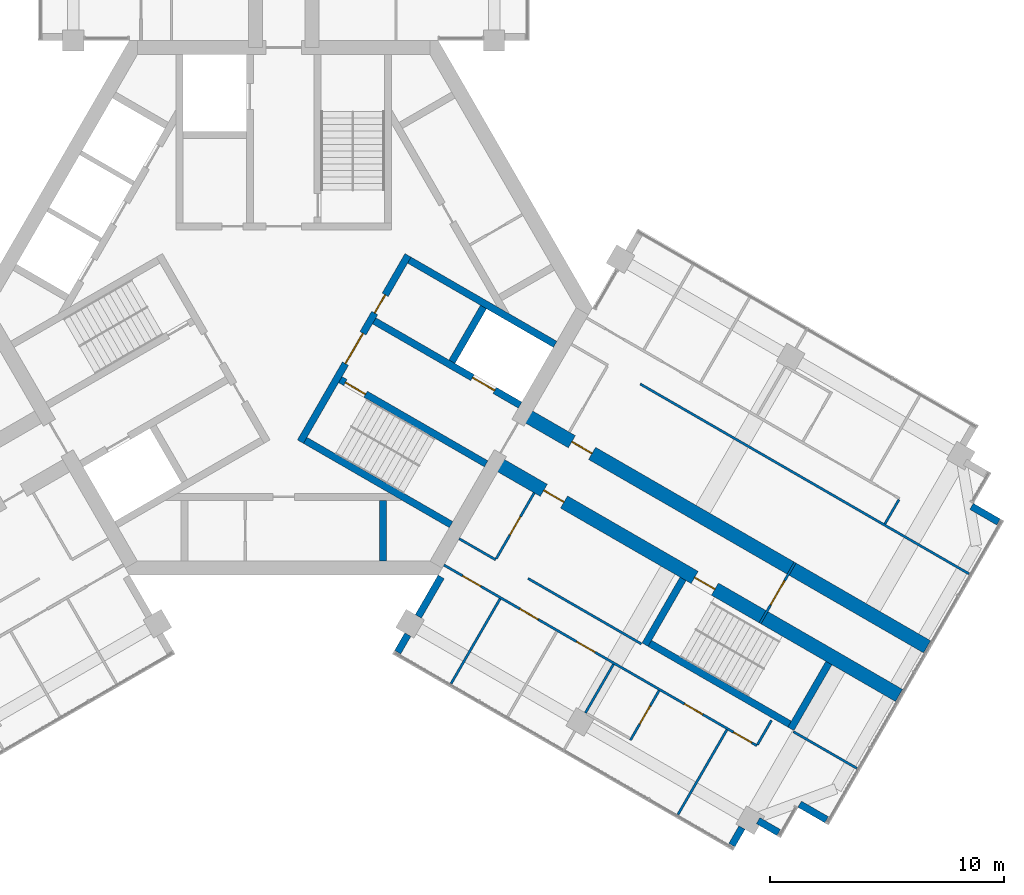
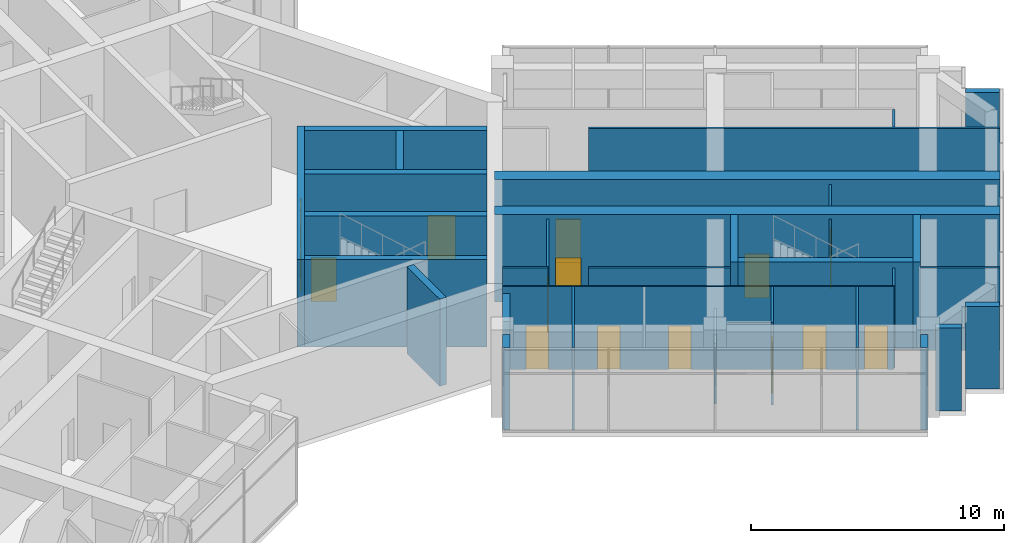
# One storey, part 12 of 15: 31 walls, 15 doors, 15 openings.
"""IFC4 building model written with IfcOpenShell, lengths in metres."""

from ifc_helpers import new_model, si_unit, direction, frame, frame_2d, origin, place, context, subcontext, project, spatial, rectangle, extrude, material, layer, layer_set, type_object, element, fill, save


model = new_model("IFC4")

# Units and contexts
model_context = context("Model", 3, precision=1e-05, world=origin(), true_north=direction((0.0, 1.0)))
body_context = subcontext(model_context, "Body", "Model", "MODEL_VIEW")
ifc_project = project(units=[si_unit("LENGTHUNIT", "METRE"), si_unit("AREAUNIT", "SQUARE_METRE"), si_unit("VOLUMEUNIT", "CUBIC_METRE"), si_unit("PLANEANGLEUNIT", "RADIAN"), si_unit("MASSUNIT", "GRAM", prefix="KILO")], contexts=[model_context])

# Site, building, storey
site_placement = place(None, origin())
site = spatial("IfcSite", under=ifc_project, at=site_placement, CompositionType="ELEMENT")
building_placement = place(site_placement, origin())
building = spatial("IfcBuilding", under=site, at=building_placement, Name="Impinga Residences", CompositionType="ELEMENT")
storey_placement = place(building_placement, frame((0.0, 0.0, 274.75)))
storey = spatial("IfcBuildingStorey", under=building, at=storey_placement, Name="L69", CompositionType="ELEMENT", Elevation=274.75)

# Wall, opening, door
ifc_material_1 = material(Name="Concrete C60/75", Category="concrete")
ifc_layer_1 = layer(ifc_material_1, 0.60009765625)
ifc_layer_set_1 = layer_set([ifc_layer_1], Name="Concrete C60/75")
wall_type_1 = type_object("IfcWallType", Name="BW3 corridor buttress wall, L46 to L73 600", PredefinedType="SHEAR", material=ifc_layer_set_1)
wall_1_placement = place(storey_placement, frame((10.240234375, -4.526611328125, 0.0), z_axis=(0.0, 0.0, 1.0), x_axis=(0.866025922281, -0.499999101937, 0.0)))
wall_1 = element("IfcWall", 1, at=wall_1_placement, inside=storey, type_object=wall_type_1, Name="Corridor wall BW3 EC L69", PredefinedType="SHEAR", context=body_context, shape_type="SweptSolid", body=[
    extrude(rectangle(XDim=19.93798828125, YDim=0.60009765625, at=frame_2d((9.968994140625, 0.0))), origin(), (0.0, 0.0, 1.0), 4.199951171875),
])
opening_1_placement = place(wall_1_placement, frame((2.39990234375, 0.0, 0.0)))
opening_1 = element("IfcOpeningElement", 2, at=opening_1_placement, cuts=wall_1, Name="Opening D1", PredefinedType="OPENING", context=body_context, shape_type="SweptSolid", body=[
    extrude(rectangle(XDim=1.0, YDim=2.10009765625, at=frame_2d((0.5, 1.050048828125))), frame((0.0, 0.31005859375, 0.0), z_axis=(0.0, -1.0, 0.0), x_axis=(1.0, 0.0, 0.0)), (0.0, 0.0, 1.0), 0.6201171875),
])
ifc_material_2 = material(Name="Timber door set", Category="wood")
door_type_1 = type_object("IfcDoorType", Name="D1 apartment entrance door 1000x2100", OperationType="SINGLE_SWING_LEFT", PredefinedType="DOOR", material=ifc_material_2)
door_1_placement = place(opening_1_placement, origin())
door_1 = element("IfcDoor", 3, at=door_1_placement, inside=storey, type_object=door_type_1, Name="Apartment L69-EA1 entrance", OperationType="SINGLE_SWING_LEFT", OverallHeight=2.10009765625, OverallWidth=1.0, PredefinedType="DOOR", context=body_context, shape_type="SweptSolid", body=[
    extrude(rectangle(XDim=1.0, YDim=2.10009765625, at=frame_2d((0.5, 1.050048828125))), frame((0.0, 0.02490234375, 0.0), z_axis=(0.0, -1.0, 0.0), x_axis=(1.0, 0.0, 0.0)), (0.0, 0.0, 1.0), 0.050048828125),
])
fill(opening_1, door_1)

# Wall, openings, doors
wall_2_placement = place(storey_placement, frame((9.040283203125, -6.60498046875, 0.0), z_axis=(0.0, 0.0, 1.0), x_axis=(0.866025922281, -0.499999101937, 0.0)))
wall_2 = element("IfcWall", 4, at=wall_2_placement, inside=storey, type_object=wall_type_1, Name="Corridor wall BW3 ED L69", PredefinedType="SHEAR", context=body_context, shape_type="SweptSolid", body=[
    extrude(rectangle(XDim=19.93798828125, YDim=0.60009765625, at=frame_2d((9.968994140625, 0.0))), origin(), (0.0, 0.0, 1.0), 4.199951171875),
])
opening_2_placement = place(wall_2_placement, frame((9.85009765625, 0.0, 0.0)))
opening_2 = element("IfcOpeningElement", 5, at=opening_2_placement, cuts=wall_2, Name="Opening D5", PredefinedType="OPENING", context=body_context, shape_type="SweptSolid", body=[
    extrude(rectangle(XDim=1.0, YDim=2.10009765625, at=frame_2d((0.5, 1.050048828125))), frame((0.0, 0.31005859375, 0.0), z_axis=(0.0, -1.0, 0.0), x_axis=(1.0, 0.0, 0.0)), (0.0, 0.0, 1.0), 0.6201171875),
])
opening_3_placement = place(wall_2_placement, frame((2.39990234375, 0.0, 0.0)))
opening_3 = element("IfcOpeningElement", 6, at=opening_3_placement, cuts=wall_2, Name="Opening D1", PredefinedType="OPENING", context=body_context, shape_type="SweptSolid", body=[
    extrude(rectangle(XDim=1.0, YDim=2.10009765625, at=frame_2d((0.5, 1.050048828125))), frame((0.0, 0.31005859375, 0.0), z_axis=(0.0, -1.0, 0.0), x_axis=(1.0, 0.0, 0.0)), (0.0, 0.0, 1.0), 0.6201171875),
])
door_2_placement = place(opening_3_placement, origin())
door_2 = element("IfcDoor", 7, at=door_2_placement, inside=storey, type_object=door_type_1, Name="Apartment L69-EF1 entrance", OperationType="SINGLE_SWING_LEFT", OverallHeight=2.10009765625, OverallWidth=1.0, PredefinedType="DOOR", context=body_context, shape_type="SweptSolid", body=[
    extrude(rectangle(XDim=1.0, YDim=2.10009765625, at=frame_2d((0.5, 1.050048828125))), frame((0.0, 0.02490234375, 0.0), z_axis=(0.0, -1.0, 0.0), x_axis=(1.0, 0.0, 0.0)), (0.0, 0.0, 1.0), 0.050048828125),
])
fill(opening_3, door_2)
door_type_2 = type_object("IfcDoorType", Name="D5 stair door 1000x2100", OperationType="SINGLE_SWING_LEFT", PredefinedType="DOOR", material=ifc_material_2)
door_3_placement = place(opening_2_placement, origin())
door_3 = element("IfcDoor", 8, at=door_3_placement, inside=storey, type_object=door_type_2, Name="Wing stair door E", OperationType="SINGLE_SWING_RIGHT", OverallHeight=2.10009765625, OverallWidth=1.0, PredefinedType="DOOR", context=body_context, shape_type="SweptSolid", body=[
    extrude(rectangle(XDim=1.0, YDim=2.10009765625, at=frame_2d((0.5, 1.050048828125))), frame((0.0, 0.02490234375, 0.0), z_axis=(0.0, -1.0, 0.0), x_axis=(1.0, 0.0, 0.0)), (0.0, 0.0, 1.0), 0.050048828125),
])
fill(opening_2, door_3)

# Wall, opening, door
ifc_material_3 = material(Name="Concrete blockwork", Category="masonry")
ifc_layer_2 = layer(ifc_material_3, 0.10009765625)
ifc_layer_set_2 = layer_set([ifc_layer_2], Name="CP1 core room partition, blockwork 100")
wall_type_2 = type_object("IfcWallType", Name="CP1 core room partition, blockwork 100", PredefinedType="PARTITIONING", material=ifc_layer_set_2)
wall_3_placement = place(storey_placement, frame((21.864990234375, -10.891845703125, 0.0), z_axis=(0.0, 0.0, 1.0), x_axis=(-0.50002537861, -0.866010750942, 0.0)))
wall_3 = element("IfcWall", 9, at=wall_3_placement, inside=storey, type_object=wall_type_2, Name="Core room partition, blockwork L69:E:LNG", PredefinedType="PARTITIONING", context=body_context, shape_type="SweptSolid", body=[
    extrude(rectangle(XDim=2.999755859375, YDim=0.10009765625, at=frame_2d((1.5, 0.0))), origin(), (0.0, 0.0, 1.0), 3.97998046875),
])
opening_4_placement = place(wall_3_placement, frame((0.89990234375, 0.0, 0.0)))
opening_4 = element("IfcOpeningElement", 10, at=opening_4_placement, cuts=wall_3, Name="Opening D3", PredefinedType="OPENING", context=body_context, shape_type="SweptSolid", body=[
    extrude(rectangle(XDim=1.199951171875, YDim=2.10009765625, at=frame_2d((0.60009765625, 1.050048828125))), frame((0.0, 0.06005859375, 0.0), z_axis=(0.0, -1.0, 0.0), x_axis=(1.0, 0.0, 0.0)), (0.0, 0.0, 1.0), 0.1201171875),
])
door_type_3 = type_object("IfcDoorType", Name="D3 room door, leaf and a half 1200x2100", OperationType="DOUBLE_SWING_LEFT", PredefinedType="DOOR", material=ifc_material_2)
door_4_placement = place(opening_4_placement, origin())
door_4 = element("IfcDoor", 11, at=door_4_placement, inside=storey, type_object=door_type_3, Name="Residents' lounge door E", OperationType="DOUBLE_SWING_LEFT", OverallHeight=2.10009765625, OverallWidth=1.199951171875, PredefinedType="DOOR", context=body_context, shape_type="SweptSolid", body=[
    extrude(rectangle(XDim=1.199951171875, YDim=2.10009765625, at=frame_2d((0.60009765625, 1.050048828125))), frame((0.0, 0.02490234375, 0.0), z_axis=(0.0, -1.0, 0.0), x_axis=(1.0, 0.0, 0.0)), (0.0, 0.0, 1.0), 0.050048828125),
])
fill(opening_4, door_4)

# Walls
ifc_material_4 = material(Name="Stone facing on blockwork", Category="masonry")
ifc_layer_3 = layer(ifc_material_4, 0.300048828125)
ifc_layer_set_3 = layer_set([ifc_layer_3], Name="EW2 external wall, stone facing on blockwork 300")
wall_type_3 = type_object("IfcWallType", Name="EW2 external wall, stone facing on blockwork 300", PredefinedType="SOLIDWALL", material=ifc_layer_set_3)
for number, where, z_axis, x_axis, name in (
    (12, (29.41015625, -8.492919921875, 0.0), (0.0, 0.0, 1.0), (0.866020521143, -0.500008456887, 0.0), "External wall EW2 L69"),
    (13, (23.212158203125, -21.888671875, 0.0), (0.0, 0.0, 1.0), (-0.866020521143, 0.500008456887, 0.0), "External wall EW2 L69"),
):
    element("IfcWall", number, at=place(storey_placement, frame(where, z_axis=z_axis, x_axis=x_axis)), inside=storey, type_object=wall_type_3, Name=name, PredefinedType="SOLIDWALL", context=body_context, shape_type="SweptSolid", body=[
        extrude(rectangle(XDim=1.330078125, YDim=0.300048828125, at=frame_2d((0.6650390625, 0.0))), origin(), (0.0, 0.0, 1.0), 3.97998046875),
    ])
wall_4_placement = place(storey_placement, frame((21.1630859375, -22.4375, 0.0), z_axis=(0.0, 0.0, 1.0), x_axis=(-0.866133525259, 0.499812681335, 0.0)))
element("IfcWall", 14, at=wall_4_placement, inside=storey, type_object=wall_type_3, Name="External wall EW2 L69", PredefinedType="SOLIDWALL", context=body_context, shape_type="SweptSolid", body=[
    extrude(rectangle(XDim=1.01513671875, YDim=0.300048828125, at=frame_2d((0.507568359375, 0.0))), origin(), (0.0, 0.0, 1.0), 3.97998046875),
])
wall_5_placement = place(storey_placement, frame((19.5927734375, -22.227294921875, 0.0), z_axis=(0.0, 0.0, 1.0), x_axis=(-0.499885902046, -0.866091268248, 0.0)))
element("IfcWall", 15, at=wall_5_placement, inside=storey, type_object=wall_type_3, Name="External wall EW2 L69", PredefinedType="SOLIDWALL", context=body_context, shape_type="SweptSolid", body=[
    extrude(rectangle(XDim=0.862060546875, YDim=0.300048828125, at=frame_2d((0.43115234375, 0.0))), origin(), (0.0, 0.0, 1.0), 3.97998046875),
])
wall_6_placement = place(storey_placement, frame((4.872314453125, -14.723876953125, 0.0), z_axis=(0.0, 0.0, 1.0), x_axis=(0.500023708017, 0.866011715522, 0.0)))
element("IfcWall", 16, at=wall_6_placement, inside=storey, type_object=wall_type_3, Name="External wall EW2 L69", PredefinedType="SOLIDWALL", context=body_context, shape_type="SweptSolid", body=[
    extrude(rectangle(XDim=0.865234375, YDim=0.300048828125, at=frame_2d((0.4326171875, 0.0))), origin(), (0.0, 0.0, 1.0), 3.97998046875),
])
wall_7_placement = place(storey_placement, frame((5.7548828125, -13.1953125, 0.0), z_axis=(0.0, 0.0, 1.0), x_axis=(0.500043961785, 0.866000020948, 0.0)))
element("IfcWall", 17, at=wall_7_placement, inside=storey, type_object=wall_type_3, Name="External wall EW2 L69", PredefinedType="SOLIDWALL", context=body_context, shape_type="SweptSolid", body=[
    extrude(rectangle(XDim=1.949951171875, YDim=0.300048828125, at=frame_2d((0.97509765625, 0.0))), origin(), (0.0, 0.0, 1.0), 3.97998046875),
])
ifc_material_5 = material(Name="Gypsum board on steel studs", Category="steel")
ifc_layer_4 = layer(ifc_material_5, 0.10009765625)
ifc_layer_set_4 = layer_set([ifc_layer_4], Name="Gypsum board on steel studs")
wall_type_4 = type_object("IfcWallType", Name="IP1 partition 100", PredefinedType="PARTITIONING", material=ifc_layer_set_4)
wall_8_placement = place(storey_placement, frame((15.244384765625, -3.2587890625, 0.0), z_axis=(0.0, 0.0, 1.0), x_axis=(0.866023082401, -0.500004020733, 0.0)))
element("IfcWall", 18, at=wall_8_placement, inside=storey, type_object=wall_type_4, Name="Partition L69-EA1:DIV1", PredefinedType="PARTITIONING", context=body_context, shape_type="SweptSolid", body=[
    extrude(rectangle(XDim=16.237060546875, YDim=0.10009765625, at=frame_2d((8.11865234375, 0.0))), origin(), (0.0, 0.0, 1.0), 3.97998046875),
])
wall_9_placement = place(storey_placement, frame((25.705078125, -9.240478515625, 0.0), z_axis=(0.0, 0.0, 1.0), x_axis=(0.50012165622, 0.865955154139, 0.0)))
element("IfcWall", 19, at=wall_9_placement, inside=storey, type_object=wall_type_4, Name="Partition L69-EA1:SE1", PredefinedType="PARTITIONING", context=body_context, shape_type="SweptSolid", body=[
    extrude(rectangle(XDim=1.199951171875, YDim=0.10009765625, at=frame_2d((0.60009765625, 0.0))), origin(), (0.0, 0.0, 1.0), 3.97998046875),
])
wall_10_placement = place(storey_placement, frame((7.5, -9.872802734375, 0.0), z_axis=(0.0, 0.0, 1.0), x_axis=(0.866047807691, -0.499961193289, 0.0)))
element("IfcWall", 20, at=wall_10_placement, inside=storey, type_object=wall_type_4, Name="Partition L69-EF1:DIV0", PredefinedType="PARTITIONING", context=body_context, shape_type="SweptSolid", body=[
    extrude(rectangle(XDim=1.800048828125, YDim=0.10009765625, at=frame_2d((0.89990234375, 0.0))), origin(), (0.0, 0.0, 1.0), 3.97998046875),
])
wall_11_placement = place(storey_placement, frame((10.444580078125, -11.57275390625, 0.0), z_axis=(0.0, 0.0, 1.0), x_axis=(0.866015695474, -0.500016814911, 0.0)))
element("IfcWall", 21, at=wall_11_placement, inside=storey, type_object=wall_type_4, Name="Partition L69-EF1:DIV1", PredefinedType="PARTITIONING", context=body_context, shape_type="SweptSolid", body=[
    extrude(rectangle(XDim=5.599853515625, YDim=0.10009765625, at=frame_2d((2.7998046875, 0.0))), origin(), (0.0, 0.0, 1.0), 3.97998046875),
])
wall_12_placement = place(storey_placement, frame((21.789306640625, -18.122802734375, 0.0), z_axis=(0.0, 0.0, 1.0), x_axis=(0.8660508054, -0.499956000529, 0.0)))
element("IfcWall", 22, at=wall_12_placement, inside=storey, type_object=wall_type_4, Name="Partition L69-EF1:DIV2", PredefinedType="PARTITIONING", context=body_context, shape_type="SweptSolid", body=[
    extrude(rectangle(XDim=3.136962890625, YDim=0.10009765625, at=frame_2d((1.568359375, 0.0))), origin(), (0.0, 0.0, 1.0), 3.97998046875),
])

# Wall, openings, doors
wall_13_placement = place(storey_placement, frame((6.85009765625, -10.99853515625, 0.0), z_axis=(0.0, 0.0, 1.0), x_axis=(0.866019273868, -0.500010617176, 0.0)))
wall_13 = element("IfcWall", 23, at=wall_13_placement, inside=storey, type_object=wall_type_4, Name="Partition L69-EF1:STRIP", PredefinedType="PARTITIONING", context=body_context, shape_type="SweptSolid", body=[
    extrude(rectangle(XDim=15.449951171875, YDim=0.10009765625, at=frame_2d((7.72509765625, 0.0))), origin(), (0.0, 0.0, 1.0), 3.97998046875),
])
opening_5_placement = place(wall_13_placement, frame((0.925048828125, 0.0, 0.0)))
opening_5 = element("IfcOpeningElement", 24, at=opening_5_placement, cuts=wall_13, Name="Opening D2", PredefinedType="OPENING", context=body_context, shape_type="SweptSolid", body=[
    extrude(rectangle(XDim=0.89990234375, YDim=2.10009765625, at=frame_2d((0.449951171875, 1.050048828125))), frame((0.0, 0.06005859375, 0.0), z_axis=(0.0, -1.0, 0.0), x_axis=(1.0, 0.0, 0.0)), (0.0, 0.0, 1.0), 0.1201171875),
])
opening_6_placement = place(wall_13_placement, frame((3.75, 0.0, 0.0)))
opening_6 = element("IfcOpeningElement", 25, at=opening_6_placement, cuts=wall_13, Name="Opening D2", PredefinedType="OPENING", context=body_context, shape_type="SweptSolid", body=[
    extrude(rectangle(XDim=0.89990234375, YDim=2.10009765625, at=frame_2d((0.449951171875, 1.050048828125))), frame((0.0, 0.06005859375, 0.0), z_axis=(0.0, -1.0, 0.0), x_axis=(1.0, 0.0, 0.0)), (0.0, 0.0, 1.0), 0.1201171875),
])
opening_7_placement = place(wall_13_placement, frame((6.550048828125, 0.0, 0.0)))
opening_7 = element("IfcOpeningElement", 26, at=opening_7_placement, cuts=wall_13, Name="Opening D2", PredefinedType="OPENING", context=body_context, shape_type="SweptSolid", body=[
    extrude(rectangle(XDim=0.89990234375, YDim=2.10009765625, at=frame_2d((0.449951171875, 1.050048828125))), frame((0.0, 0.06005859375, 0.0), z_axis=(0.0, -1.0, 0.0), x_axis=(1.0, 0.0, 0.0)), (0.0, 0.0, 1.0), 0.1201171875),
])
opening_8_placement = place(wall_13_placement, frame((11.875, 0.0, 0.0)))
opening_8 = element("IfcOpeningElement", 27, at=opening_8_placement, cuts=wall_13, Name="Opening D2", PredefinedType="OPENING", context=body_context, shape_type="SweptSolid", body=[
    extrude(rectangle(XDim=0.89990234375, YDim=2.10009765625, at=frame_2d((0.449951171875, 1.050048828125))), frame((0.0, 0.06005859375, 0.0), z_axis=(0.0, -1.0, 0.0), x_axis=(1.0, 0.0, 0.0)), (0.0, 0.0, 1.0), 0.1201171875),
])
opening_9_placement = place(wall_13_placement, frame((14.300048828125, 0.0, 0.0)))
opening_9 = element("IfcOpeningElement", 28, at=opening_9_placement, cuts=wall_13, Name="Opening D2", PredefinedType="OPENING", context=body_context, shape_type="SweptSolid", body=[
    extrude(rectangle(XDim=0.89990234375, YDim=2.10009765625, at=frame_2d((0.449951171875, 1.050048828125))), frame((0.0, 0.06005859375, 0.0), z_axis=(0.0, -1.0, 0.0), x_axis=(1.0, 0.0, 0.0)), (0.0, 0.0, 1.0), 0.1201171875),
])
door_type_4 = type_object("IfcDoorType", Name="D2 internal door 900x2100", OperationType="SINGLE_SWING_LEFT", PredefinedType="DOOR", material=ifc_material_2)
door_5_placement = place(opening_5_placement, origin())
door_5 = element("IfcDoor", 29, at=door_5_placement, inside=storey, type_object=door_type_4, Name="Apartment L69-EF1 room door", OperationType="SINGLE_SWING_LEFT", OverallHeight=2.10009765625, OverallWidth=0.89990234375, PredefinedType="DOOR", context=body_context, shape_type="SweptSolid", body=[
    extrude(rectangle(XDim=0.89990234375, YDim=2.10009765625, at=frame_2d((0.449951171875, 1.050048828125))), frame((0.0, 0.02490234375, 0.0), z_axis=(0.0, -1.0, 0.0), x_axis=(1.0, 0.0, 0.0)), (0.0, 0.0, 1.0), 0.050048828125),
])
fill(opening_5, door_5)
door_6_placement = place(opening_6_placement, origin())
door_6 = element("IfcDoor", 30, at=door_6_placement, inside=storey, type_object=door_type_4, Name="Apartment L69-EF1 room door", OperationType="SINGLE_SWING_LEFT", OverallHeight=2.10009765625, OverallWidth=0.89990234375, PredefinedType="DOOR", context=body_context, shape_type="SweptSolid", body=[
    extrude(rectangle(XDim=0.89990234375, YDim=2.10009765625, at=frame_2d((0.449951171875, 1.050048828125))), frame((0.0, 0.02490234375, 0.0), z_axis=(0.0, -1.0, 0.0), x_axis=(1.0, 0.0, 0.0)), (0.0, 0.0, 1.0), 0.050048828125),
])
fill(opening_6, door_6)
door_7_placement = place(opening_7_placement, origin())
door_7 = element("IfcDoor", 31, at=door_7_placement, inside=storey, type_object=door_type_4, Name="Apartment L69-EF1 room door", OperationType="SINGLE_SWING_LEFT", OverallHeight=2.10009765625, OverallWidth=0.89990234375, PredefinedType="DOOR", context=body_context, shape_type="SweptSolid", body=[
    extrude(rectangle(XDim=0.89990234375, YDim=2.10009765625, at=frame_2d((0.449951171875, 1.050048828125))), frame((0.0, 0.02490234375, 0.0), z_axis=(0.0, -1.0, 0.0), x_axis=(1.0, 0.0, 0.0)), (0.0, 0.0, 1.0), 0.050048828125),
])
fill(opening_7, door_7)
door_8_placement = place(opening_8_placement, origin())
door_8 = element("IfcDoor", 32, at=door_8_placement, inside=storey, type_object=door_type_4, Name="Apartment L69-EF1 room door", OperationType="SINGLE_SWING_RIGHT", OverallHeight=2.10009765625, OverallWidth=0.89990234375, PredefinedType="DOOR", context=body_context, shape_type="SweptSolid", body=[
    extrude(rectangle(XDim=0.89990234375, YDim=2.10009765625, at=frame_2d((0.449951171875, 1.050048828125))), frame((0.0, 0.02490234375, 0.0), z_axis=(0.0, -1.0, 0.0), x_axis=(1.0, 0.0, 0.0)), (0.0, 0.0, 1.0), 0.050048828125),
])
fill(opening_8, door_8)
door_9_placement = place(opening_9_placement, origin())
door_9 = element("IfcDoor", 33, at=door_9_placement, inside=storey, type_object=door_type_4, Name="Apartment L69-EF1 room door", OperationType="SINGLE_SWING_RIGHT", OverallHeight=2.10009765625, OverallWidth=0.89990234375, PredefinedType="DOOR", context=body_context, shape_type="SweptSolid", body=[
    extrude(rectangle(XDim=0.89990234375, YDim=2.10009765625, at=frame_2d((0.449951171875, 1.050048828125))), frame((0.0, 0.02490234375, 0.0), z_axis=(0.0, -1.0, 0.0), x_axis=(1.0, 0.0, 0.0)), (0.0, 0.0, 1.0), 0.050048828125),
])
fill(opening_9, door_9)

# Wall
wall_14_placement = place(storey_placement, frame((20.85498046875, -17.640869140625, 0.0), z_axis=(0.0, 0.0, 1.0), x_axis=(-0.499880961361, -0.866094119867, 0.0)))
element("IfcWall", 34, at=wall_14_placement, inside=storey, type_object=wall_type_4, Name="Partition L69-EF1:SE1", PredefinedType="PARTITIONING", context=body_context, shape_type="SweptSolid", body=[
    extrude(rectangle(XDim=1.199951171875, YDim=0.10009765625, at=frame_2d((0.60009765625, 0.0))), origin(), (0.0, 0.0, 1.0), 3.97998046875),
])

# Wall, opening, door
wall_15_placement = place(storey_placement, frame((10.708740234375, -7.914794921875, 0.0), z_axis=(0.0, 0.0, 1.0), x_axis=(-0.499984717929, -0.866034226713, 0.0)))
wall_15 = element("IfcWall", 35, at=wall_15_placement, inside=storey, type_object=wall_type_4, Name="Partition L69-EF1:IB1", PredefinedType="PARTITIONING", context=body_context, shape_type="SweptSolid", body=[
    extrude(rectangle(XDim=3.25, YDim=0.10009765625, at=frame_2d((1.625, 0.0))), origin(), (0.0, 0.0, 1.0), 3.97998046875),
])
opening_10_placement = place(wall_15_placement, frame((1.175048828125, 0.0, 0.0)))
opening_10 = element("IfcOpeningElement", 36, at=opening_10_placement, cuts=wall_15, Name="Opening D2", PredefinedType="OPENING", context=body_context, shape_type="SweptSolid", body=[
    extrude(rectangle(XDim=0.89990234375, YDim=2.10009765625, at=frame_2d((0.449951171875, 1.050048828125))), frame((0.0, 0.06005859375, 0.0), z_axis=(0.0, -1.0, 0.0), x_axis=(1.0, 0.0, 0.0)), (0.0, 0.0, 1.0), 0.1201171875),
])
door_10_placement = place(opening_10_placement, origin())
door_10 = element("IfcDoor", 37, at=door_10_placement, inside=storey, type_object=door_type_4, Name="Apartment L69-EF1 bathroom door", OperationType="SINGLE_SWING_LEFT", OverallHeight=2.10009765625, OverallWidth=0.89990234375, PredefinedType="DOOR", context=body_context, shape_type="SweptSolid", body=[
    extrude(rectangle(XDim=0.89990234375, YDim=2.10009765625, at=frame_2d((0.449951171875, 1.050048828125))), frame((0.0, 0.02490234375, 0.0), z_axis=(0.0, -1.0, 0.0), x_axis=(1.0, 0.0, 0.0)), (0.0, 0.0, 1.0), 0.050048828125),
])
fill(opening_10, door_10)

# Walls
wall_16_placement = place(storey_placement, frame((9.249755859375, -12.44189453125, 0.0), z_axis=(0.0, 0.0, 1.0), x_axis=(-0.500008475426, -0.86602051044, 0.0)))
element("IfcWall", 38, at=wall_16_placement, inside=storey, type_object=wall_type_4, Name="Partition L69-EF1:OB1", PredefinedType="PARTITIONING", context=body_context, shape_type="SweptSolid", body=[
    extrude(rectangle(XDim=4.18701171875, YDim=0.10009765625, at=frame_2d((2.093505859375, 0.0))), origin(), (0.0, 0.0, 1.0), 3.97998046875),
])
wall_17_placement = place(storey_placement, frame((14.099609375, -15.241943359375, 0.0), z_axis=(0.0, 0.0, 1.0), x_axis=(-0.500001309137, -0.866024647952, 0.0)))
element("IfcWall", 39, at=wall_17_placement, inside=storey, type_object=wall_type_4, Name="Partition L69-EF1:OB3", PredefinedType="PARTITIONING", context=body_context, shape_type="SweptSolid", body=[
    extrude(rectangle(XDim=2.39990234375, YDim=0.10009765625, at=frame_2d((1.199951171875, 0.0))), origin(), (0.0, 0.0, 1.0), 2.929931640625),
])
wall_18_placement = place(storey_placement, frame((18.949462890625, -18.041748046875, 0.0), z_axis=(0.0, 0.0, 1.0), x_axis=(-0.499983227221, -0.866035087336, 0.0)))
element("IfcWall", 40, at=wall_18_placement, inside=storey, type_object=wall_type_4, Name="Partition L69-EF1:OB4", PredefinedType="PARTITIONING", context=body_context, shape_type="SweptSolid", body=[
    extrude(rectangle(XDim=4.187255859375, YDim=0.10009765625, at=frame_2d((2.09375, 0.0))), origin(), (0.0, 0.0, 1.0), 3.97998046875),
])

# Wall, opening, door
wall_19_placement = place(storey_placement, frame((16.048095703125, -16.366943359375, 0.0), z_axis=(0.0, 0.0, 1.0), x_axis=(-0.499987006516, -0.866032905446, 0.0)))
wall_19 = element("IfcWall", 41, at=wall_19_placement, inside=storey, type_object=wall_type_4, Name="Partition L69-EF1:EN1", PredefinedType="PARTITIONING", context=body_context, shape_type="SweptSolid", body=[
    extrude(rectangle(XDim=2.44970703125, YDim=0.10009765625, at=frame_2d((1.224853515625, 0.0))), origin(), (0.0, 0.0, 1.0), 3.97998046875),
])
opening_11_placement = place(wall_19_placement, frame((0.75, 0.0, 0.0)))
opening_11 = element("IfcOpeningElement", 42, at=opening_11_placement, cuts=wall_19, Name="Opening D2", PredefinedType="OPENING", context=body_context, shape_type="SweptSolid", body=[
    extrude(rectangle(XDim=0.89990234375, YDim=2.10009765625, at=frame_2d((0.449951171875, 1.050048828125))), frame((0.0, 0.06005859375, 0.0), z_axis=(0.0, -1.0, 0.0), x_axis=(1.0, 0.0, 0.0)), (0.0, 0.0, 1.0), 0.1201171875),
])
door_11_placement = place(opening_11_placement, origin())
door_11 = element("IfcDoor", 43, at=door_11_placement, inside=storey, type_object=door_type_4, Name="Apartment L69-EF1 en-suite door", OperationType="SINGLE_SWING_LEFT", OverallHeight=2.10009765625, OverallWidth=0.89990234375, PredefinedType="DOOR", context=body_context, shape_type="SweptSolid", body=[
    extrude(rectangle(XDim=0.89990234375, YDim=2.10009765625, at=frame_2d((0.449951171875, 1.050048828125))), frame((0.0, 0.02490234375, 0.0), z_axis=(0.0, -1.0, 0.0), x_axis=(1.0, 0.0, 0.0)), (0.0, 0.0, 1.0), 0.050048828125),
])
fill(opening_11, door_11)

# Walls
ifc_layer_5 = layer(ifc_material_1, 0.300048828125)
ifc_layer_set_5 = layer_set([ifc_layer_5], Name="Concrete C60/75")
wall_type_5 = type_object("IfcWallType", Name="SE1 wing stair enclosure wall 300", PredefinedType="SOLIDWALL", material=ifc_layer_set_5)
for number, where, z_axis, x_axis, name in (
    (44, (17.07421875, -11.58984375, 0.0), (0.0, 0.0, 1.0), (-0.500017246033, -0.866015446554, 0.0), "Stair enclosure wall SE1 E END0 L69"),
    (45, (23.3095703125, -15.189697265625, 0.0), (0.0, 0.0, 1.0), (-0.499984717929, -0.866034226713, 0.0), "Stair enclosure wall SE1 E END1 L69"),
):
    element("IfcWall", number, at=place(storey_placement, frame(where, z_axis=z_axis, x_axis=x_axis)), inside=storey, type_object=wall_type_5, Name=name, PredefinedType="SOLIDWALL", context=body_context, shape_type="SweptSolid", body=[
        extrude(rectangle(XDim=3.25, YDim=0.300048828125, at=frame_2d((1.625, 0.0))), origin(), (0.0, 0.0, 1.0), 4.199951171875),
    ])
wall_20_placement = place(storey_placement, frame((15.654052734375, -14.349365234375, 0.0), z_axis=(0.0, 0.0, 1.0), x_axis=(0.866013532718, -0.500020560727, 0.0)))
element("IfcWall", 46, at=wall_20_placement, inside=storey, type_object=wall_type_5, Name="Stair enclosure wall SE1 E OUT L69", PredefinedType="SOLIDWALL", context=body_context, shape_type="SweptSolid", body=[
    extrude(rectangle(XDim=6.900146484375, YDim=0.300048828125, at=frame_2d((3.4501953125, 0.0))), origin(), (0.0, 0.0, 1.0), 4.199951171875),
])

# Wall, openings, doors
ifc_material_6 = material(Name="Concrete C70/85", Category="concrete")
ifc_layer_6 = layer(ifc_material_6, 0.300048828125)
ifc_layer_set_6 = layer_set([ifc_layer_6], Name="Concrete C70/85")
wall_type_6 = type_object("IfcWallType", Name="SW5 core inner wall, stairs, shafts and lobbies 300", PredefinedType="SHEAR", material=ifc_layer_set_6)
wall_21_placement = place(storey_placement, frame((5.313720703125, 2.24365234375, 0.0), z_axis=(0.0, 0.0, 1.0), x_axis=(-0.499995050369, -0.866028261437, 0.0)))
wall_21 = element("IfcWall", 47, at=wall_21_placement, inside=storey, type_object=wall_type_6, Name="Core wall SW5 E:ZONE L69", PredefinedType="SHEAR", context=body_context, shape_type="SweptSolid", body=[
    extrude(rectangle(XDim=9.19970703125, YDim=0.300048828125, at=frame_2d((4.599853515625, 0.0))), origin(), (0.0, 0.0, 1.0), 4.199951171875),
])
opening_12_placement = place(wall_21_placement, frame((3.85009765625, 0.0, 0.0)))
opening_12 = element("IfcOpeningElement", 48, at=opening_12_placement, cuts=wall_21, Name="Opening D4", PredefinedType="OPENING", context=body_context, shape_type="SweptSolid", body=[
    extrude(rectangle(XDim=1.5, YDim=2.10009765625, at=frame_2d((0.75, 1.050048828125))), frame((0.0, 0.159912109375, 0.0), z_axis=(0.0, -1.0, 0.0), x_axis=(1.0, 0.0, 0.0)), (0.0, 0.0, 1.0), 0.320068359375),
])
opening_13_placement = place(wall_21_placement, frame((1.949951171875, 0.0, 0.0)))
opening_13 = element("IfcOpeningElement", 49, at=opening_13_placement, cuts=wall_21, Name="Opening D6", PredefinedType="OPENING", context=body_context, shape_type="SweptSolid", body=[
    extrude(rectangle(XDim=0.89990234375, YDim=2.10009765625, at=frame_2d((0.449951171875, 1.050048828125))), frame((0.0, 0.159912109375, 0.0), z_axis=(0.0, -1.0, 0.0), x_axis=(1.0, 0.0, 0.0)), (0.0, 0.0, 1.0), 0.320068359375),
])
door_type_5 = type_object("IfcDoorType", Name="D4 lobby door pair 1500x2100", OperationType="DOUBLE_DOOR_DOUBLE_SWING", PredefinedType="DOOR", material=ifc_material_2)
door_12_placement = place(opening_12_placement, origin())
door_12 = element("IfcDoor", 50, at=door_12_placement, inside=storey, type_object=door_type_5, Name="Firefighting lobby door E", OperationType="DOUBLE_DOOR_DOUBLE_SWING", OverallHeight=2.10009765625, OverallWidth=1.5, PredefinedType="DOOR", context=body_context, shape_type="SweptSolid", body=[
    extrude(rectangle(XDim=1.5, YDim=2.10009765625, at=frame_2d((0.75, 1.050048828125))), frame((0.0, 0.02490234375, 0.0), z_axis=(0.0, -1.0, 0.0), x_axis=(1.0, 0.0, 0.0)), (0.0, 0.0, 1.0), 0.050048828125),
])
fill(opening_12, door_12)
door_type_6 = type_object("IfcDoorType", Name="D6 riser and store door 900x2100", OperationType="SINGLE_SWING_LEFT", PredefinedType="DOOR", material=ifc_material_2)
door_13_placement = place(opening_13_placement, origin())
door_13 = element("IfcDoor", 51, at=door_13_placement, inside=storey, type_object=door_type_6, Name="Riser door E", OperationType="SINGLE_SWING_LEFT", OverallHeight=2.10009765625, OverallWidth=0.89990234375, PredefinedType="DOOR", context=body_context, shape_type="SweptSolid", body=[
    extrude(rectangle(XDim=0.89990234375, YDim=2.10009765625, at=frame_2d((0.449951171875, 1.050048828125))), frame((0.0, 0.02490234375, 0.0), z_axis=(0.0, -1.0, 0.0), x_axis=(1.0, 0.0, 0.0)), (0.0, 0.0, 1.0), 0.050048828125),
])
fill(opening_13, door_13)

# Wall, opening, door
wall_22_placement = place(storey_placement, frame((2.418701171875, -3.07080078125, 0.0), z_axis=(0.0, 0.0, 1.0), x_axis=(0.86603146111, -0.499989508258, 0.0)))
wall_22 = element("IfcWall", 52, at=wall_22_placement, inside=storey, type_object=wall_type_6, Name="Core wall SW5 E:ST-IN L69", PredefinedType="SHEAR", context=body_context, shape_type="SweptSolid", body=[
    extrude(rectangle(XDim=7.201416015625, YDim=0.300048828125, at=frame_2d((3.6005859375, 0.0))), origin(), (0.0, 0.0, 1.0), 4.199951171875),
])
opening_14_placement = place(wall_22_placement, frame((0.25, 0.0, 0.0)))
opening_14 = element("IfcOpeningElement", 53, at=opening_14_placement, cuts=wall_22, Name="Opening D5", PredefinedType="OPENING", context=body_context, shape_type="SweptSolid", body=[
    extrude(rectangle(XDim=1.0, YDim=2.10009765625, at=frame_2d((0.5, 1.050048828125))), frame((0.0, 0.159912109375, 0.0), z_axis=(0.0, -1.0, 0.0), x_axis=(1.0, 0.0, 0.0)), (0.0, 0.0, 1.0), 0.320068359375),
])
door_14_placement = place(opening_14_placement, origin())
door_14 = element("IfcDoor", 54, at=door_14_placement, inside=storey, type_object=door_type_2, Name="Stair door E", OperationType="SINGLE_SWING_LEFT", OverallHeight=2.10009765625, OverallWidth=1.0, PredefinedType="DOOR", context=body_context, shape_type="SweptSolid", body=[
    extrude(rectangle(XDim=1.0, YDim=2.10009765625, at=frame_2d((0.5, 1.050048828125))), frame((0.0, 0.02490234375, 0.0), z_axis=(0.0, -1.0, 0.0), x_axis=(1.0, 0.0, 0.0)), (0.0, 0.0, 1.0), 0.050048828125),
])
fill(opening_14, door_14)

# Wall
wall_23_placement = place(storey_placement, frame((0.918701171875, -5.668701171875, 0.0), z_axis=(0.0, 0.0, 1.0), x_axis=(0.866016781112, -0.50001493461, 0.0)))
element("IfcWall", 55, at=wall_23_placement, inside=storey, type_object=wall_type_6, Name="Core wall SW5 E:ST-OUT L69", PredefinedType="SHEAR", context=body_context, shape_type="SweptSolid", body=[
    extrude(rectangle(XDim=7.201416015625, YDim=0.300048828125, at=frame_2d((3.6005859375, 0.0))), origin(), (0.0, 0.0, 1.0), 4.199951171875),
])

# Wall, opening, door
wall_24_placement = place(storey_placement, frame((3.86865234375, -0.559326171875, 0.0), z_axis=(0.0, 0.0, 1.0), x_axis=(0.866039935929, -0.499974828743, 0.0)))
wall_24 = element("IfcWall", 56, at=wall_24_placement, inside=storey, type_object=wall_type_6, Name="Core wall SW5 E:FF-IN L69", PredefinedType="SHEAR", context=body_context, shape_type="SweptSolid", body=[
    extrude(rectangle(XDim=7.201416015625, YDim=0.300048828125, at=frame_2d((3.6005859375, 0.0))), origin(), (0.0, 0.0, 1.0), 4.199951171875),
])
opening_15_placement = place(wall_24_placement, frame((4.85009765625, 0.0, 0.0)))
opening_15 = element("IfcOpeningElement", 57, at=opening_15_placement, cuts=wall_24, Name="Opening LD2", PredefinedType="OPENING", context=body_context, shape_type="SweptSolid", body=[
    extrude(rectangle(XDim=1.10009765625, YDim=2.10009765625, at=frame_2d((0.550048828125, 1.050048828125))), frame((0.0, 0.159912109375, 0.0), z_axis=(0.0, -1.0, 0.0), x_axis=(1.0, 0.0, 0.0)), (0.0, 0.0, 1.0), 0.320068359375),
])
ifc_material_7 = material(Name="Steel lift landing door", Category="steel")
door_type_7 = type_object("IfcDoorType", Name="LD2 firefighting lift landing door 1100x2100", OperationType="DOUBLE_DOOR_SLIDING", PredefinedType="DOOR", material=ifc_material_7)
door_15_placement = place(opening_15_placement, origin())
door_15 = element("IfcDoor", 58, at=door_15_placement, inside=storey, type_object=door_type_7, Name="Firefighting lift landing door F3", OperationType="DOUBLE_DOOR_SLIDING", OverallHeight=2.10009765625, OverallWidth=1.10009765625, PredefinedType="DOOR", context=body_context, shape_type="SweptSolid", body=[
    extrude(rectangle(XDim=1.10009765625, YDim=2.10009765625, at=frame_2d((0.550048828125, 1.050048828125))), frame((0.0, 0.02490234375, 0.0), z_axis=(0.0, -1.0, 0.0), x_axis=(1.0, 0.0, 0.0)), (0.0, 0.0, 1.0), 0.050048828125),
])
fill(opening_15, door_15)

# Walls
wall_25_placement = place(storey_placement, frame((5.36865234375, 2.038818359375, 0.0), z_axis=(0.0, 0.0, 1.0), x_axis=(0.866025256649, -0.500000254847, 0.0)))
element("IfcWall", 59, at=wall_25_placement, inside=storey, type_object=wall_type_6, Name="Core wall SW5 E:FF-OUT L69", PredefinedType="SHEAR", context=body_context, shape_type="SweptSolid", body=[
    extrude(rectangle(XDim=7.20166015625, YDim=0.300048828125, at=frame_2d((3.600830078125, 0.0))), origin(), (0.0, 0.0, 1.0), 4.199951171875),
])
wall_26_placement = place(storey_placement, frame((8.541259765625, 0.033935546875, 0.0), z_axis=(0.0, 0.0, 1.0), x_axis=(-0.50000943426, -0.866019956843, 0.0)))
element("IfcWall", 60, at=wall_26_placement, inside=storey, type_object=wall_type_6, Name="Core wall SW5 E:FF-RS L69", PredefinedType="SHEAR", context=body_context, shape_type="SweptSolid", body=[
    extrude(rectangle(XDim=2.7001953125, YDim=0.300048828125, at=frame_2d((1.35009765625, 0.0))), origin(), (0.0, 0.0, 1.0), 4.199951171875),
])
wall_27_placement = place(storey_placement, frame((4.25, -8.2314453125, 0.0), z_axis=(0.0, 0.0, 1.0), x_axis=(0.0, -1.0, 0.0)))
element("IfcWall", 61, at=wall_27_placement, inside=storey, type_object=wall_type_6, Name="Core wall SW5 N:BANK-L L69", PredefinedType="SHEAR", context=body_context, shape_type="SweptSolid", body=[
    extrude(rectangle(XDim=2.60009765625, YDim=0.300048828125, at=frame_2d((1.300048828125, 0.0))), origin(), (0.0, 0.0, 1.0), 4.199951171875),
])

save(model, "model.ifc")
